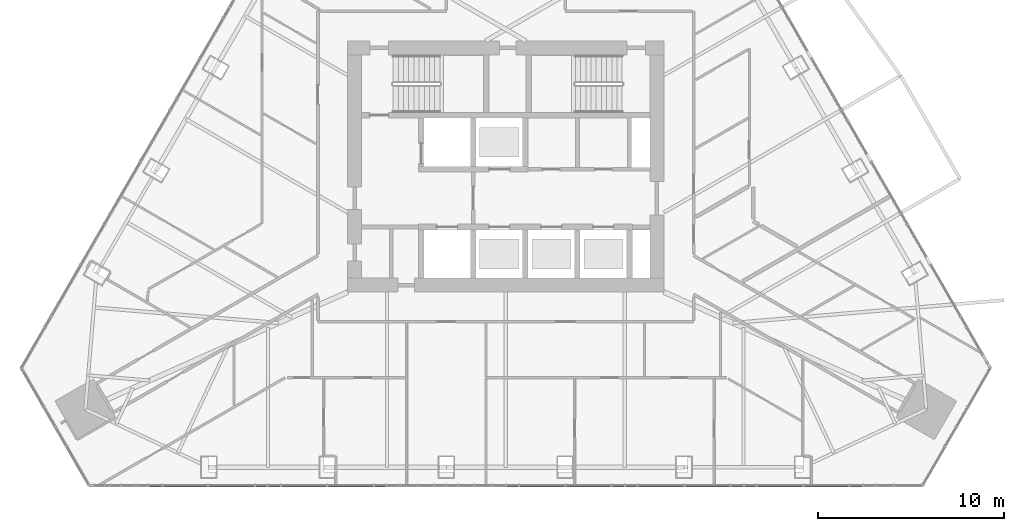
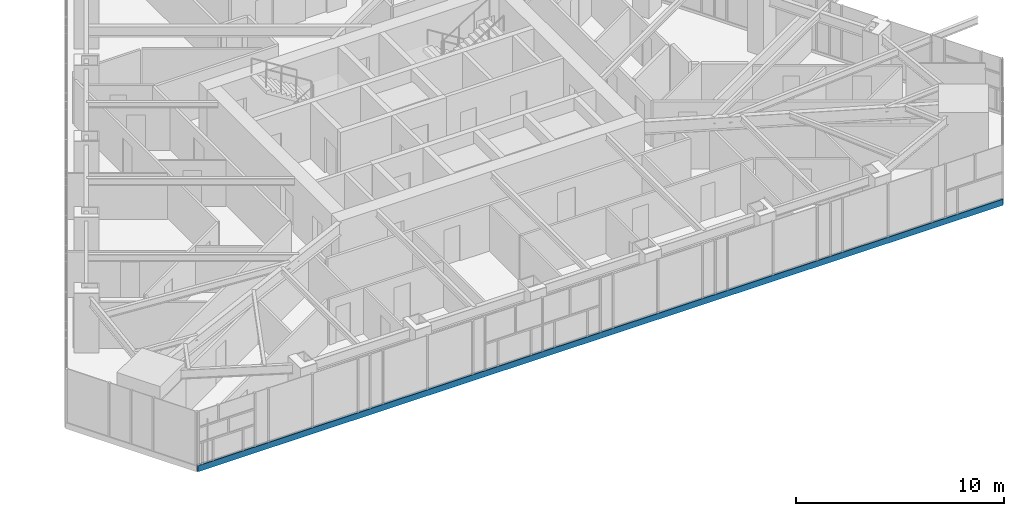
# One storey, part 3 of 26: 1 member, 1 element without a shape of its own.
"""IFC4 building model written with IfcOpenShell, lengths in metres."""

from ifc_helpers import new_model, si_unit, direction, frame, origin, origin_2d, place, context, subcontext, project, spatial, rectangle, extrude, material, layer, layer_set, material_profile, profile_set, type_object, element, aggregate, save


model = new_model("IFC4")

# Units and contexts
model_context = context("Model", 3, precision=1e-05, world=origin(), true_north=direction((0.0, 1.0)))
body_context = subcontext(model_context, "Body", "Model", "MODEL_VIEW")
ifc_project = project(units=[si_unit("LENGTHUNIT", "METRE"), si_unit("AREAUNIT", "SQUARE_METRE"), si_unit("VOLUMEUNIT", "CUBIC_METRE"), si_unit("PLANEANGLEUNIT", "RADIAN"), si_unit("MASSUNIT", "GRAM", prefix="KILO")], contexts=[model_context])

# Site, building, storey
site_placement = place(None, origin())
site = spatial("IfcSite", under=ifc_project, at=site_placement, CompositionType="ELEMENT")
building_placement = place(site_placement, origin())
building = spatial("IfcBuilding", under=site, at=building_placement, Name="Firuza Gate Tower and Library", CompositionType="ELEMENT")
storey_placement = place(building_placement, frame((0.0, 0.0, 288.10009765625)))
storey = spatial("IfcBuildingStorey", under=building, at=storey_placement, Name="L69", CompositionType="ELEMENT", Elevation=288.10009765625)

# Curtain wall, member
ifc_material_1 = material(Name="Aluminium 6063-T6", Category="aluminium")
ifc_layer = layer(ifc_material_1, 0.14990234375)
ifc_layer_set = layer_set([ifc_layer], Name="Unitised curtain wall, residences")
curtain_wall_type = type_object("IfcCurtainWallType", Name="Unitised curtain wall, residences", PredefinedType="NOTDEFINED", material=ifc_layer_set)
curtain_wall_placement = place(storey_placement, origin())
curtain_wall = element("IfcCurtainWall", 1, at=curtain_wall_placement, inside=storey, type_object=curtain_wall_type, Name="CW3 L69 S face", PredefinedType="NOTDEFINED")
ifc_material_2 = material(Name="Aluminium 6063-T6", Category="aluminium")
ifc_material_profile = material_profile(ifc_material_2, rectangle(XDim=0.14990234375, YDim=0.35009765625, at=origin_2d()))
ifc_profile_set = profile_set([ifc_material_profile], Name="Aluminium 6063-T6")
member_type = type_object("IfcMemberType", Name="Curtain wall transom 350x150", PredefinedType="USERDEFINED", material=ifc_profile_set)
member_placement = place(storey_placement, frame((52.593994140625, 57.85693359375, -0.025146484375), z_axis=(1.0, 0.0, 0.0), x_axis=(0.0, 1.0, 0.0)))
member = element("IfcMember", 2, at=member_placement, type_object=member_type, Name="Transom", ObjectType="TRANSOM", PredefinedType="USERDEFINED", context=body_context, shape_type="SweptSolid", body=[
    extrude(rectangle(XDim=0.14990234375, YDim=0.35009765625, at=origin_2d()), origin(), (0.0, 0.0, 1.0), 44.81201171875),
])
aggregate(curtain_wall, [member])

save(model, "model.ifc")
